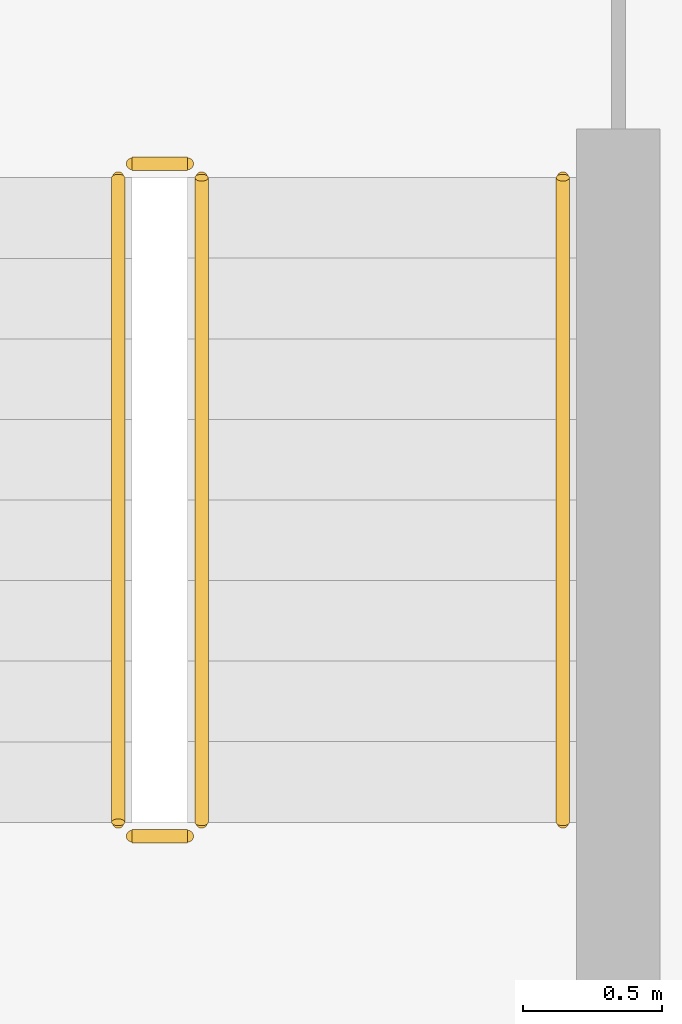
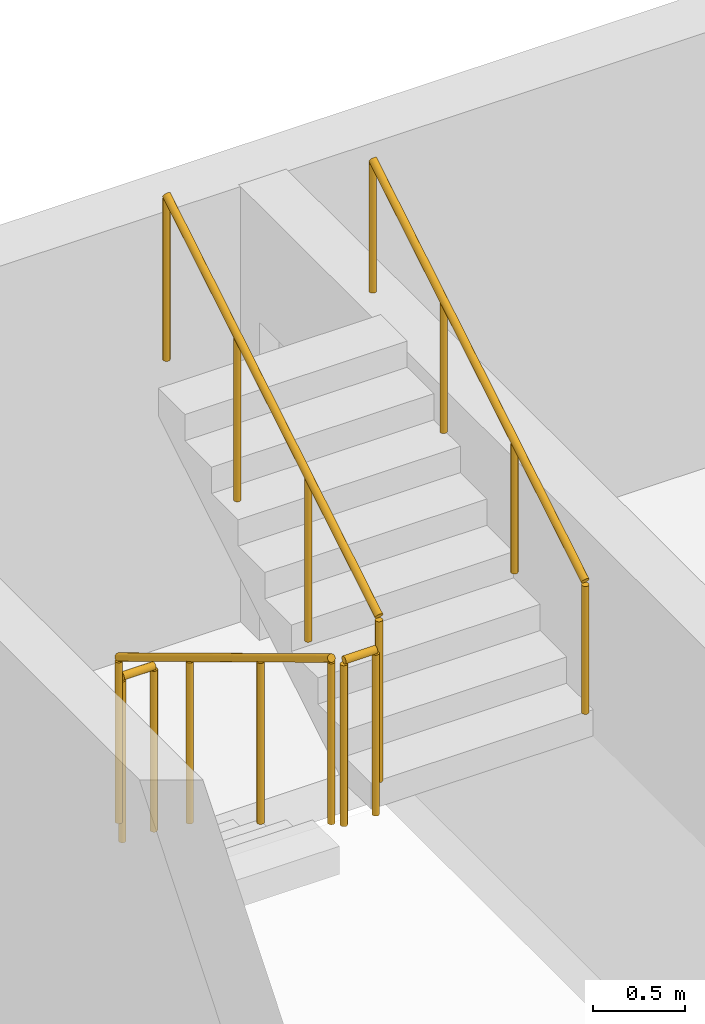
# One storey, part 36 of 38: 5 railings.
"""IFC4 building model written with IfcOpenShell, lengths in metres."""

from ifc_helpers import new_model, si_unit, derived_unit, direction, frame, origin, origin_2d, place, context, subcontext, project, spatial, circle, extrude, material, type_object, element, save


model = new_model("IFC4")

# Units and contexts
model_context = context("Model", 3, precision=1e-05, world=origin(), true_north=direction((0.0, 1.0)))
body_context = subcontext(model_context, "Body", "Model", "MODEL_VIEW")
ifc_project = project(units=[si_unit("LENGTHUNIT", "METRE"), si_unit("AREAUNIT", "SQUARE_METRE"), si_unit("VOLUMEUNIT", "CUBIC_METRE"), si_unit("PLANEANGLEUNIT", "RADIAN"), si_unit("MASSUNIT", "GRAM", prefix="KILO"), derived_unit("THERMALTRANSMITTANCEUNIT", [(si_unit("MASSUNIT", "GRAM", prefix="KILO"), 1), (si_unit("TIMEUNIT", "SECOND"), -3), (si_unit("THERMODYNAMICTEMPERATUREUNIT", "KELVIN"), -1)])], contexts=[model_context])

# Site, building, storey
site_placement = place(None, origin())
site = spatial("IfcSite", under=ifc_project, at=site_placement, CompositionType="ELEMENT")
building_placement = place(site_placement, origin())
building = spatial("IfcBuilding", under=site, at=building_placement, Name="Ochrekiln Boulevard Commons", CompositionType="ELEMENT")
storey_placement = place(building_placement, frame((0.0, 0.0, 24.675048828125)))
storey = spatial("IfcBuildingStorey", under=building, at=storey_placement, Name="L07", CompositionType="ELEMENT", Elevation=24.675048828125)

# Railings
ifc_material = material(Name="Brushed stainless steel 316 tubular railing", Category="steel")
railing_type_1 = type_object("IfcRailingType", Name="RLG-HDR-900", PredefinedType="HANDRAIL", material=ifc_material)
railing_1_placement = place(storey_placement, frame((160.550048828125, 114.610107421875, 1.75)))
element("IfcRailing", 1, at=railing_1_placement, inside=storey, type_object=railing_type_1, Name="L07 ST-B2 stair handrail 2", PredefinedType="HANDRAIL", context=body_context, shape_type="SweptSolid", body=[
    extrude(circle(Radius=0.02392578125, at=origin_2d()), frame((0.0, 0.0, 0.8759765625), z_axis=(0.0, 0.856186286599, 0.516667245565), x_axis=(-1.0, 0.0, 0.0)), (0.0, 0.0, 1.0), 2.70947265625),
    extrude(circle(Radius=0.02099609375, at=origin_2d()), origin(), (0.0, 0.0, 1.0), 0.851806640625),
    extrude(circle(Radius=0.02099609375, at=origin_2d()), frame((0.0, 0.773193359375, 0.466552734375)), (0.0, 0.0, 1.0), 0.851806640625),
    extrude(circle(Radius=0.02099609375, at=origin_2d()), frame((0.0, 1.546630859375, 0.933349609375)), (0.0, 0.0, 1.0), 0.851806640625),
    extrude(circle(Radius=0.02099609375, at=origin_2d()), frame((0.0, 2.31982421875, 1.39990234375)), (0.0, 0.0, 1.0), 0.851806640625),
])
railing_type_2 = type_object("IfcRailingType", Name="RLG-STR-1120", PredefinedType="BALUSTRADE", material=ifc_material)
railing_2_placement = place(storey_placement, frame((158.949951171875, 116.929931640625, 0.175048828125)))
element("IfcRailing", 2, at=railing_2_placement, inside=storey, type_object=railing_type_2, Name="L07 ST-B2 stair guard 1", PredefinedType="BALUSTRADE", context=body_context, shape_type="SweptSolid", body=[
    extrude(circle(Radius=0.02392578125, at=origin_2d()), frame((0.0, 0.0, 1.09619140625), z_axis=(0.0, -0.856186286599, 0.516667245565), x_axis=(1.0, 0.0, 0.0)), (0.0, 0.0, 1.0), 2.70947265625),
    extrude(circle(Radius=0.02099609375, at=origin_2d()), origin(), (0.0, 0.0, 1.0), 1.072021484375),
    extrude(circle(Radius=0.02099609375, at=origin_2d()), frame((0.0, -0.773193359375, 0.466552734375)), (0.0, 0.0, 1.0), 1.072021484375),
    extrude(circle(Radius=0.02099609375, at=origin_2d()), frame((0.0, -1.546630859375, 0.933349609375)), (0.0, 0.0, 1.0), 1.072021484375),
    extrude(circle(Radius=0.02099609375, at=origin_2d()), frame((0.0, -2.31982421875, 1.39990234375)), (0.0, 0.0, 1.0), 1.072021484375),
])
railing_3_placement = place(storey_placement, frame((159.0, 114.56005859375, 1.574951171875)))
element("IfcRailing", 3, at=railing_3_placement, inside=storey, type_object=railing_type_2, Name="L07 ST-B2 stair guard 2", PredefinedType="BALUSTRADE", context=body_context, shape_type="SweptSolid", body=[
    extrude(circle(Radius=0.02392578125, at=origin_2d()), frame((0.0, 0.0, 1.09619140625), z_axis=(1.0, 0.0, 0.0), x_axis=(0.0, 1.0, 0.0)), (0.0, 0.0, 1.0), 0.199951171875),
    extrude(circle(Radius=0.02099609375, at=origin_2d()), origin(), (0.0, 0.0, 1.0), 1.072021484375),
    extrude(circle(Radius=0.02099609375, at=origin_2d()), frame((0.199951171875, 0.0, 0.0)), (0.0, 0.0, 1.0), 1.072021484375),
])
railing_4_placement = place(storey_placement, frame((159.25, 114.610107421875, 1.75)))
element("IfcRailing", 4, at=railing_4_placement, inside=storey, type_object=railing_type_2, Name="L07 ST-B2 stair guard 3", PredefinedType="BALUSTRADE", context=body_context, shape_type="SweptSolid", body=[
    extrude(circle(Radius=0.02392578125, at=origin_2d()), frame((0.0, 0.0, 1.09619140625), z_axis=(0.0, 0.856186286599, 0.516667245565), x_axis=(-1.0, 0.0, 0.0)), (0.0, 0.0, 1.0), 2.70947265625),
    extrude(circle(Radius=0.02099609375, at=origin_2d()), origin(), (0.0, 0.0, 1.0), 1.072021484375),
    extrude(circle(Radius=0.02099609375, at=origin_2d()), frame((0.0, 0.773193359375, 0.466552734375)), (0.0, 0.0, 1.0), 1.072021484375),
    extrude(circle(Radius=0.02099609375, at=origin_2d()), frame((0.0, 1.546630859375, 0.933349609375)), (0.0, 0.0, 1.0), 1.072021484375),
    extrude(circle(Radius=0.02099609375, at=origin_2d()), frame((0.0, 2.31982421875, 1.39990234375)), (0.0, 0.0, 1.0), 1.072021484375),
])
railing_5_placement = place(storey_placement, frame((159.0, 116.97998046875, 0.0)))
element("IfcRailing", 5, at=railing_5_placement, inside=storey, type_object=railing_type_2, Name="L07 ST-B2 stair guard 4", PredefinedType="BALUSTRADE", context=body_context, shape_type="SweptSolid", body=[
    extrude(circle(Radius=0.02392578125, at=origin_2d()), frame((0.0, 0.0, 1.09619140625), z_axis=(1.0, 0.0, 0.0), x_axis=(0.0, 1.0, 0.0)), (0.0, 0.0, 1.0), 0.199951171875),
    extrude(circle(Radius=0.02099609375, at=origin_2d()), origin(), (0.0, 0.0, 1.0), 1.072021484375),
    extrude(circle(Radius=0.02099609375, at=origin_2d()), frame((0.199951171875, 0.0, 0.0)), (0.0, 0.0, 1.0), 1.072021484375),
])

save(model, "model.ifc")
